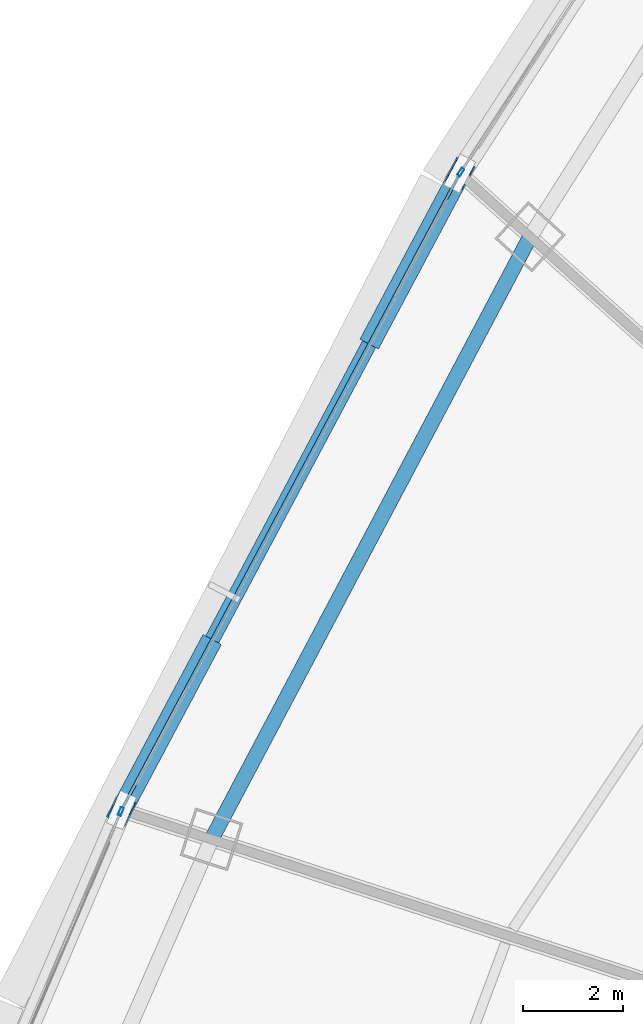
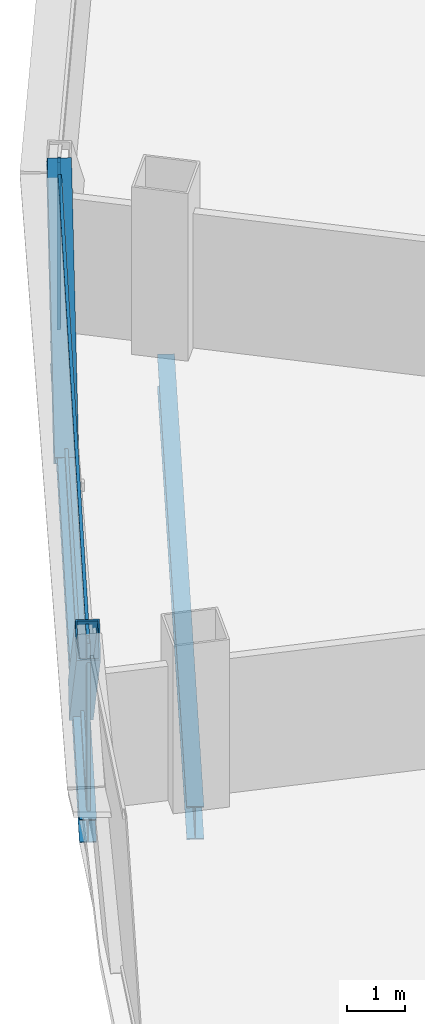
# One storey, part 14 of 39: 6 members, 2 beams, 3 elements without a shape of their own.
"""IFC4 building model written with IfcOpenShell, lengths in metres."""

from ifc_helpers import new_model, si_unit, direction, frame, origin, origin_2d, place, context, subcontext, project, spatial, hollow_rectangle, i_section, extrude, source, transform, mapped, material, layer, layer_set, material_profile, profile_set, type_object, element, aggregate, save


model = new_model("IFC4")

# Units and contexts
model_context = context("Model", 3, precision=1e-05, world=origin(), true_north=direction((0.0, 1.0)))
body_context = subcontext(model_context, "Body", "Model", "MODEL_VIEW")
ifc_project = project(units=[si_unit("LENGTHUNIT", "METRE"), si_unit("AREAUNIT", "SQUARE_METRE"), si_unit("VOLUMEUNIT", "CUBIC_METRE"), si_unit("PLANEANGLEUNIT", "RADIAN"), si_unit("MASSUNIT", "GRAM", prefix="KILO"), si_unit("THERMODYNAMICTEMPERATUREUNIT", "KELVIN"), si_unit("POWERUNIT", "WATT")], contexts=[model_context])

# Site, building, storey
site_placement = place(None, origin())
site = spatial("IfcSite", under=ifc_project, at=site_placement, CompositionType="ELEMENT")
building_placement = place(site_placement, origin())
building = spatial("IfcBuilding", under=site, at=building_placement, Name="Yunzhuo Pagoda Commons", CompositionType="ELEMENT")
storey_placement = place(building_placement, frame((0.0, 0.0, 92.580078125)))
storey = spatial("IfcBuildingStorey", under=building, at=storey_placement, Name="L23", CompositionType="ELEMENT", Elevation=92.580078125)

# Beams
ifc_material_1 = material(Name="Structural steel Q355B", Category="steel")
ifc_material_profile_1 = material_profile(ifc_material_1, i_section(OverallWidth=0.300048828125, OverallDepth=0.699951171875, WebThickness=0.012939453125, FlangeThickness=0.02392578125, at=origin_2d()), Name="Structural steel Q355B")
ifc_profile_set_1 = profile_set([ifc_material_profile_1], Name="Structural steel Q355B")
beam_type_1 = type_object("IfcBeamType", Name="B-RG1 Beam HN 700x300x13x24", PredefinedType="BEAM", material=ifc_profile_set_1)
shared_shape_1 = source(origin(), body_context, "Body", "SweptSolid", [
    extrude(i_section(OverallWidth=0.300048828125, OverallDepth=0.699951171875, WebThickness=0.012939453125, FlangeThickness=0.02392578125, at=origin_2d()), origin(), (0.0, 0.0, 1.0), 13.66748046875),
])
beam_1_placement = place(storey_placement, frame((23.397216796875, 55.852294921875, -0.610107421875), z_axis=(-0.467383716456, -0.88405455804, 0.0), x_axis=(0.88405455804, -0.467383716456, 0.0)))
element("IfcBeam", 1, at=beam_1_placement, inside=storey, type_object=beam_type_1, Name="L23 column-ring beam 10", PredefinedType="BEAM", context=body_context, shape_type="MappedRepresentation", body=[
    mapped(shared_shape_1, transform((0.0, 0.0, 0.0), scale=1.0)),
])
ifc_material_profile_2 = material_profile(ifc_material_1, i_section(OverallWidth=0.300048828125, OverallDepth=0.488037109375, WebThickness=0.010986328125, FlangeThickness=0.01806640625, at=origin_2d()), Name="Structural steel Q355B")
ifc_profile_set_2 = profile_set([ifc_material_profile_2], Name="Structural steel Q355B")
beam_type_2 = type_object("IfcBeamType", Name="B-SP1 Beam HM 488x300x11x18", PredefinedType="BEAM", material=ifc_profile_set_2)
shared_shape_2 = source(origin(), body_context, "Body", "SweptSolid", [
    extrude(i_section(OverallWidth=0.300048828125, OverallDepth=0.488037109375, WebThickness=0.010986328125, FlangeThickness=0.01806640625, at=origin_2d()), origin(), (0.0, 0.0, 1.0), 14.45556640625),
])
beam_2_placement = place(storey_placement, frame((21.9892578125, 57.1201171875, -0.504150390625), z_axis=(-0.469414934682, -0.882977700227, 0.0), x_axis=(0.882977700227, -0.469414934682, 0.0)))
element("IfcBeam", 2, at=beam_2_placement, inside=storey, type_object=beam_type_2, Name="L23 facade edge spandrel beam F3.2", PredefinedType="BEAM", context=body_context, shape_type="MappedRepresentation", body=[
    mapped(shared_shape_2, transform((0.0, 0.0, 0.0), scale=1.0)),
])

# Members
ifc_material_2 = material(Name="Structural steel Q420B", Category="steel")
ifc_material_profile_3 = material_profile(ifc_material_2, hollow_rectangle(XDim=0.419921875, YDim=0.719970703125, WallThickness=0.028076171875, at=origin_2d()), Name="Structural steel Q420B")
ifc_profile_set_3 = profile_set([ifc_material_profile_3], Name="Structural steel Q420B")
member_type_1 = type_object("IfcMemberType", Name="M-DL1 Brace BOX 720x420x28", PredefinedType="BRACE", material=ifc_profile_set_3)
shared_shape_3 = source(origin(), body_context, "Body", "SweptSolid", [
    extrude(hollow_rectangle(XDim=0.419921875, YDim=0.719970703125, WallThickness=0.028076171875, at=origin_2d()), origin(), (0.0, 0.0, 1.0), 5.243896484375),
])
for number, where, z_axis, x_axis, name in (
    (3, (20.29296875, 53.92919921875, -0.260009765625), (0.32347124873, 0.608487222351, 0.724644500069), (-0.882987979283, 0.469395599086, 0.0), "L23 facade diamond brace F3.2L"),
    (4, (16.89990234375, 47.547119140625, -0.260009765625), (-0.32347124873, -0.608487222351, 0.724644500069), (0.882987979283, -0.469395599086, 0.0), "L23 facade diamond brace F3.2R"),
):
    element("IfcMember", number, at=place(storey_placement, frame(where, z_axis=z_axis, x_axis=x_axis)), inside=storey, type_object=member_type_1, Name=name, PredefinedType="BRACE", context=body_context, shape_type="MappedRepresentation", body=[
        mapped(shared_shape_3, transform((0.0, 0.0, 0.0), scale=1.0)),
    ])

# Curtain wall, member
ifc_material_3 = material(Name="Anodized aluminium 6063-T6", Category="aluminium")
ifc_layer = layer(ifc_material_3, 0.1650390625)
ifc_layer_set = layer_set([ifc_layer], Name="Anodized aluminium 6063-T6")
curtain_wall_type = type_object("IfcCurtainWallType", Name="CW-LOW Low-Zone Ribbon Curtain Wall", PredefinedType="NOTDEFINED", material=ifc_layer_set)
curtain_wall_1_placement = place(storey_placement, origin())
curtain_wall_1 = element("IfcCurtainWall", 5, at=curtain_wall_1_placement, inside=storey, type_object=curtain_wall_type, Name="L23 curtain wall CW-L23-F3B2", PredefinedType="NOTDEFINED")
ifc_material_profile_4 = material_profile(ifc_material_3, hollow_rectangle(XDim=0.06494140625, YDim=0.1650390625, WallThickness=0.00390625, at=origin_2d()), Name="Anodized aluminium 6063-T6")
ifc_profile_set_4 = profile_set([ifc_material_profile_4], Name="Anodized aluminium 6063-T6")
member_type_2 = type_object("IfcMemberType", Name="CW-LOW-M Mullion RHS 165x65x4", PredefinedType="MULLION", material=ifc_profile_set_4)
shared_shape_4 = source(origin(), body_context, "Body", "SweptSolid", [
    extrude(hollow_rectangle(XDim=0.06494140625, YDim=0.1650390625, WallThickness=0.00390625, at=origin_2d()), origin(), (0.0, 0.0, 1.0), 3.5400390625),
])
member_1_placement = place(storey_placement, frame((22.007080078125, 57.1474609375, 0.0), z_axis=(0.0, 0.0, 1.0), x_axis=(0.838972259493, -0.544174188841, 0.0)))
member_1 = element("IfcMember", 6, at=member_1_placement, type_object=member_type_2, Name="CW mullion 2", PredefinedType="MULLION", context=body_context, shape_type="MappedRepresentation", body=[
    mapped(shared_shape_4, transform((0.0, 0.0, 0.0), scale=1.0)),
])
aggregate(curtain_wall_1, [member_1])

curtain_wall_2_placement = place(storey_placement, origin())
curtain_wall_2 = element("IfcCurtainWall", 7, at=curtain_wall_2_placement, inside=storey, type_object=curtain_wall_type, Name="L23 curtain wall CW-L23-F3B4", PredefinedType="NOTDEFINED")
member_2_placement = place(storey_placement, frame((15.19091796875, 44.326416015625, 0.0), z_axis=(0.0, 0.0, 1.0), x_axis=(0.919382894415, -0.393363818185, 0.0)))
member_2 = element("IfcMember", 8, at=member_2_placement, type_object=member_type_2, Name="CW mullion 1", PredefinedType="MULLION", context=body_context, shape_type="MappedRepresentation", body=[
    mapped(shared_shape_4, transform((0.0, 0.0, 0.0), scale=1.0)),
])
aggregate(curtain_wall_2, [member_2])

# Curtain wall, members
curtain_wall_3_placement = place(storey_placement, origin())
curtain_wall_3 = element("IfcCurtainWall", 9, at=curtain_wall_3_placement, inside=storey, type_object=curtain_wall_type, Name="L23 curtain wall CW-L23-F3B3", PredefinedType="NOTDEFINED")
ifc_material_profile_5 = material_profile(ifc_material_3, hollow_rectangle(XDim=0.06005859375, YDim=0.139892578125, WallThickness=0.00341796875, at=origin_2d()), Name="Anodized aluminium 6063-T6")
ifc_profile_set_5 = profile_set([ifc_material_profile_5], Name="Anodized aluminium 6063-T6")
member_type_3 = type_object("IfcMemberType", Name="CW-LOW-T Transom RHS 140x60x3.5", PredefinedType="USERDEFINED", material=ifc_profile_set_5)
shared_shape_5 = source(origin(), body_context, "Body", "SweptSolid", [
    extrude(hollow_rectangle(XDim=0.06005859375, YDim=0.139892578125, WallThickness=0.00341796875, at=origin_2d()), origin(), (0.0, 0.0, 1.0), 14.32568359375),
])
member_3_placement = place(storey_placement, frame((21.958740234375, 57.062744140625, 0.030029296875), z_axis=(-0.469413137866, -0.88297865546, 0.0), x_axis=(0.88297865546, -0.469413137866, 0.0)))
member_3 = element("IfcMember", 10, at=member_3_placement, type_object=member_type_3, Name="CW transom 1.1", ObjectType="TRANSOM", PredefinedType="USERDEFINED", context=body_context, shape_type="MappedRepresentation", body=[
    mapped(shared_shape_5, transform((0.0, 0.0, 0.0), scale=1.0)),
])
member_4_placement = place(storey_placement, frame((21.958740234375, 57.062744140625, 3.510009765625), z_axis=(-0.469413137866, -0.88297865546, 0.0), x_axis=(0.88297865546, -0.469413137866, 0.0)))
member_4 = element("IfcMember", 11, at=member_4_placement, type_object=member_type_3, Name="CW transom 1.2", ObjectType="TRANSOM", PredefinedType="USERDEFINED", context=body_context, shape_type="MappedRepresentation", body=[
    mapped(shared_shape_5, transform((0.0, 0.0, 0.0), scale=1.0)),
])
aggregate(curtain_wall_3, [member_3, member_4])

save(model, "model.ifc")
